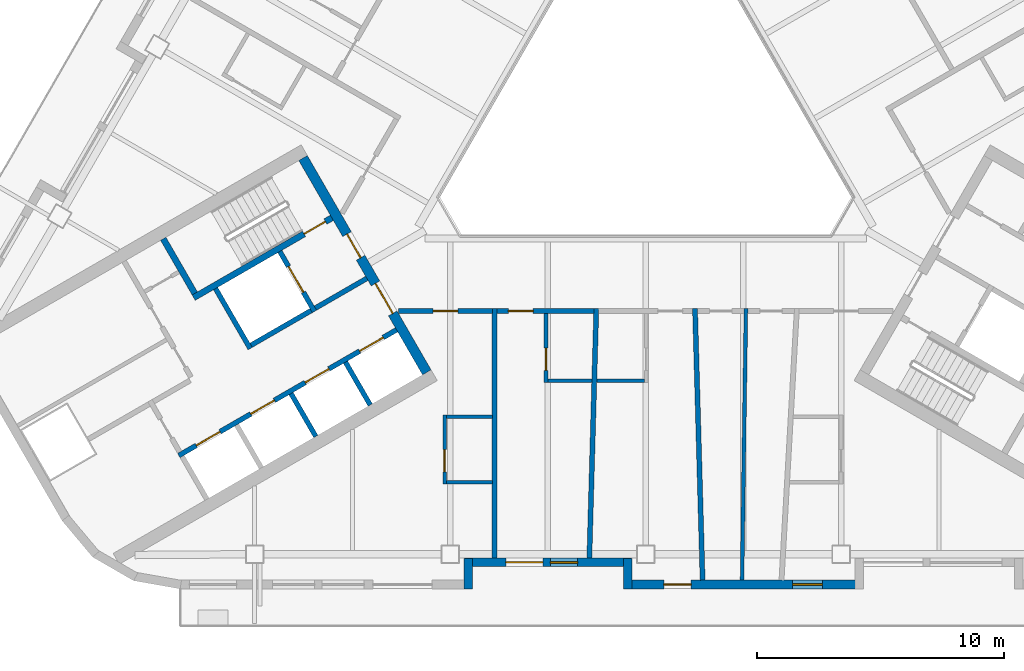
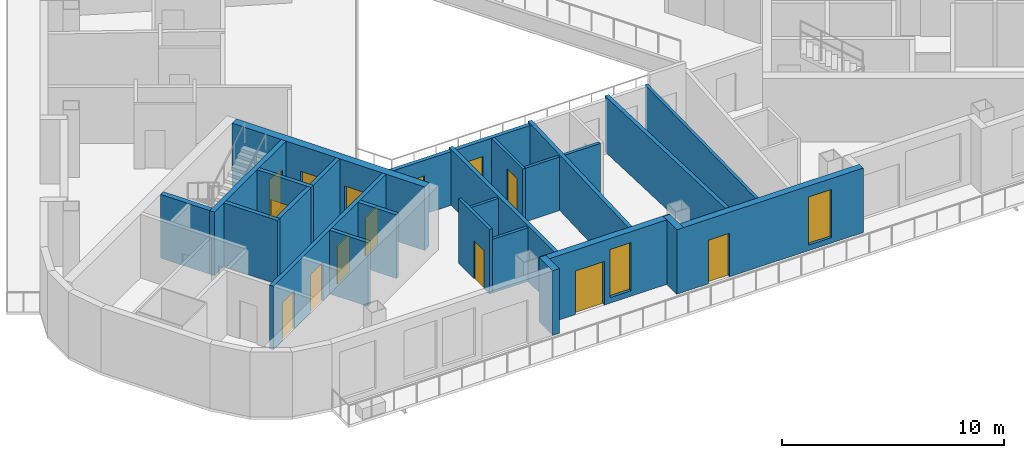
# One storey, part 3 of 14: 26 walls, 14 doors, 2 windows, 16 openings.
"""IFC4 building model written with IfcOpenShell, lengths in metres."""

from ifc_helpers import new_model, si_unit, direction, frame, frame_2d, origin, place, context, subcontext, project, spatial, rectangle, extrude, material, layer, layer_set, type_object, element, fill, save


model = new_model("IFC4")

# Units and contexts
model_context = context("Model", 3, precision=1e-05, world=origin(), true_north=direction((0.0, 1.0)))
body_context = subcontext(model_context, "Body", "Model", "MODEL_VIEW")
ifc_project = project(units=[si_unit("LENGTHUNIT", "METRE"), si_unit("AREAUNIT", "SQUARE_METRE"), si_unit("VOLUMEUNIT", "CUBIC_METRE"), si_unit("PLANEANGLEUNIT", "RADIAN"), si_unit("MASSUNIT", "GRAM", prefix="KILO")], contexts=[model_context])

# Site, building, storey
site_placement = place(None, origin())
site = spatial("IfcSite", under=ifc_project, at=site_placement, CompositionType="ELEMENT")
building_placement = place(site_placement, origin())
building = spatial("IfcBuilding", under=site, at=building_placement, Name="Apuvela Tower Hotel", CompositionType="ELEMENT")
storey_placement = place(building_placement, frame((0.0, 0.0, 216.89990234375)))
storey = spatial("IfcBuildingStorey", under=building, at=storey_placement, Name="L53", CompositionType="ELEMENT", Elevation=216.89990234375)

# Wall, openings, doors
ifc_material_1 = material(Name="Concrete C50/60", Category="concrete")
ifc_layer_1 = layer(ifc_material_1, 0.39990234375)
ifc_layer_set_1 = layer_set([ifc_layer_1], Name="COR-WALL-CORE-400")
wall_type_1 = type_object("IfcWallType", Name="COR-WALL-CORE-400", PredefinedType="SHEAR", material=ifc_layer_set_1)
wall_1_placement = place(storey_placement, frame((-13.844970703125, -2.219970703125, 0.0), z_axis=(0.0, 0.0, 1.0), x_axis=(0.500004234368, -0.866022959057, 0.0)))
wall_1 = element("IfcWall", 1, at=wall_1_placement, inside=storey, type_object=wall_type_1, Name="Core wall SW", PredefinedType="SHEAR", context=body_context, shape_type="SweptSolid", body=[
    extrude(rectangle(XDim=10.0, YDim=0.39990234375, at=frame_2d((5.0, 0.0))), origin(), (0.0, 0.0, 1.0), 3.5),
])
opening_1_placement = place(wall_1_placement, frame((3.550048828125, 0.0, 0.0)))
opening_1 = element("IfcOpeningElement", 2, at=opening_1_placement, cuts=wall_1, Name="Opening W-FD", PredefinedType="OPENING", context=body_context, shape_type="SweptSolid", body=[
    extrude(rectangle(XDim=1.10009765625, YDim=2.10009765625, at=frame_2d((0.550048828125, 1.050048828125))), frame((0.0, 0.2099609375, 0.0), z_axis=(0.0, -1.0, 0.0), x_axis=(1.0, 0.0, 0.0)), (0.0, 0.0, 1.0), 0.419921875),
])
opening_2_placement = place(wall_1_placement, frame((5.85009765625, 0.0, 0.0)))
opening_2 = element("IfcOpeningElement", 3, at=opening_2_placement, cuts=wall_1, Name="Opening W-GD", PredefinedType="OPENING", context=body_context, shape_type="SweptSolid", body=[
    extrude(rectangle(XDim=1.39990234375, YDim=2.10009765625, at=frame_2d((0.699951171875, 1.050048828125))), frame((0.0, 0.2099609375, 0.0), z_axis=(0.0, -1.0, 0.0), x_axis=(1.0, 0.0, 0.0)), (0.0, 0.0, 1.0), 0.419921875),
])
ifc_material_2 = material(Name="Steel fire door, powder coated", Category="steel")
door_type_1 = type_object("IfcDoorType", Name="COR-FD-1100", OperationType="NOTDEFINED", PredefinedType="DOOR", material=ifc_material_2)
door_1_placement = place(opening_1_placement, frame((1.10009765625, 0.0, 0.0), z_axis=(0.0, 0.0, 1.0), x_axis=(-1.0, 0.0, 0.0)))
door_1 = element("IfcDoor", 4, at=door_1_placement, inside=storey, type_object=door_type_1, Name="Firefighting lobby door W-FD", OperationType="SINGLE_SWING_LEFT", OverallHeight=2.10009765625, OverallWidth=1.10009765625, PredefinedType="DOOR", context=body_context, shape_type="SweptSolid", body=[
    extrude(rectangle(XDim=1.10009765625, YDim=2.10009765625, at=frame_2d((0.550048828125, 1.050048828125))), frame((0.0, 0.02490234375, 0.0), z_axis=(0.0, -1.0, 0.0), x_axis=(1.0, 0.0, 0.0)), (0.0, 0.0, 1.0), 0.050048828125),
])
fill(opening_1, door_1)
ifc_material_3 = material(Name="Glazed steel fire door", Category="steel")
door_type_2 = type_object("IfcDoorType", Name="COR-GD-1400", OperationType="DOUBLE_DOOR_SINGLE_SWING", PredefinedType="DOOR", material=ifc_material_3)
door_2_placement = place(opening_2_placement, frame((1.39990234375, 0.0, 0.0), z_axis=(0.0, 0.0, 1.0), x_axis=(-1.0, 0.0, 0.0)))
door_2 = element("IfcDoor", 5, at=door_2_placement, inside=storey, type_object=door_type_2, Name="Lift lobby door W-GD", OperationType="DOUBLE_DOOR_SINGLE_SWING", OverallHeight=2.10009765625, OverallWidth=1.39990234375, PredefinedType="DOOR", context=body_context, shape_type="SweptSolid", body=[
    extrude(rectangle(XDim=1.39990234375, YDim=2.10009765625, at=frame_2d((0.699951171875, 1.050048828125))), frame((0.0, 0.02490234375, 0.0), z_axis=(0.0, -1.0, 0.0), x_axis=(1.0, 0.0, 0.0)), (0.0, 0.0, 1.0), 0.050048828125),
])
fill(opening_2, door_2)

# Wall
ifc_layer_2 = layer(ifc_material_1, 0.199951171875)
ifc_layer_set_2 = layer_set([ifc_layer_2], Name="COR-WALL-SHAFT-200")
wall_type_2 = type_object("IfcWallType", Name="COR-WALL-SHAFT-200", PredefinedType="SHEAR", material=ifc_layer_set_2)
wall_2_placement = place(storey_placement, frame((-17.38134765625, -7.49462890625, 0.0), z_axis=(0.0, 0.0, 1.0), x_axis=(0.500011755427, -0.866018616679, 0.0)))
element("IfcWall", 6, at=wall_2_placement, inside=storey, type_object=wall_type_2, Name="Shaft wall SW", PredefinedType="SHEAR", context=body_context, shape_type="SweptSolid", body=[
    extrude(rectangle(XDim=2.80029296875, YDim=0.199951171875, at=frame_2d((1.400146484375, 0.0))), origin(), (0.0, 0.0, 1.0), 3.5),
])

# Wall, opening, door
wall_3_placement = place(storey_placement, frame((-14.783203125, -5.99462890625, 0.0), z_axis=(0.0, 0.0, 1.0), x_axis=(0.49994636267, -0.866056369097, 0.0)))
wall_3 = element("IfcWall", 7, at=wall_3_placement, inside=storey, type_object=wall_type_2, Name="Shaft wall SW", PredefinedType="SHEAR", context=body_context, shape_type="SweptSolid", body=[
    extrude(rectangle(XDim=2.800048828125, YDim=0.199951171875, at=frame_2d((1.39990234375, 0.0))), origin(), (0.0, 0.0, 1.0), 3.5),
])
opening_3_placement = place(wall_3_placement, frame((0.699951171875, 0.0, 0.0)))
opening_3 = element("IfcOpeningElement", 8, at=opening_3_placement, cuts=wall_3, Name="Opening W-LD-FS2", PredefinedType="OPENING", context=body_context, shape_type="SweptSolid", body=[
    extrude(rectangle(XDim=1.199951171875, YDim=2.10009765625, at=frame_2d((0.60009765625, 1.050048828125))), frame((0.0, 0.10986328125, 0.0), z_axis=(0.0, -1.0, 0.0), x_axis=(1.0, 0.0, 0.0)), (0.0, 0.0, 1.0), 0.219970703125),
])
ifc_material_4 = material(Name="Stainless steel lift landing door", Category="steel")
door_type_3 = type_object("IfcDoorType", Name="COR-LD-1200", OperationType="DOUBLE_DOOR_SLIDING", PredefinedType="DOOR", material=ifc_material_4)
door_3_placement = place(opening_3_placement, origin())
door_3 = element("IfcDoor", 9, at=door_3_placement, inside=storey, type_object=door_type_3, Name="Lift landing door W-LD-FS2", OperationType="DOUBLE_DOOR_SLIDING", OverallHeight=2.10009765625, OverallWidth=1.199951171875, PredefinedType="DOOR", context=body_context, shape_type="SweptSolid", body=[
    extrude(rectangle(XDim=1.199951171875, YDim=2.10009765625, at=frame_2d((0.60009765625, 1.050048828125))), frame((0.0, 0.02490234375, 0.0), z_axis=(0.0, -1.0, 0.0), x_axis=(1.0, 0.0, 0.0)), (0.0, 0.0, 1.0), 0.050048828125),
])
fill(opening_3, door_3)

# Walls
wall_4_placement = place(storey_placement, frame((-13.519775390625, -8.383056640625, 0.0), z_axis=(0.0, 0.0, 1.0), x_axis=(-0.866034573852, -0.49998411664, 0.0)))
element("IfcWall", 10, at=wall_4_placement, inside=storey, type_object=wall_type_2, Name="Shaft wall SW", PredefinedType="SHEAR", context=body_context, shape_type="SweptSolid", body=[
    extrude(rectangle(XDim=2.7998046875, YDim=0.199951171875, at=frame_2d((1.39990234375, 0.0))), origin(), (0.0, 0.0, 1.0), 3.5),
])
wall_5_placement = place(storey_placement, frame((-11.26806640625, -7.0830078125, 0.0), z_axis=(0.0, 0.0, 1.0), x_axis=(-0.866050077142, -0.499957262057, 0.0)))
element("IfcWall", 11, at=wall_5_placement, inside=storey, type_object=wall_type_2, Name="Shaft wall SW", PredefinedType="SHEAR", context=body_context, shape_type="SweptSolid", body=[
    extrude(rectangle(XDim=2.400146484375, YDim=0.199951171875, at=frame_2d((1.2001953125, 0.0))), origin(), (0.0, 0.0, 1.0), 3.5),
])

# Wall, openings, doors
wall_6_placement = place(storey_placement, frame((-10.068115234375, -9.16162109375, 0.0), z_axis=(0.0, 0.0, 1.0), x_axis=(-0.866032725843, -0.499987317609, 0.0)))
wall_6 = element("IfcWall", 12, at=wall_6_placement, inside=storey, type_object=wall_type_2, Name="Shaft wall SW", PredefinedType="SHEAR", context=body_context, shape_type="SweptSolid", body=[
    extrude(rectangle(XDim=10.159912109375, YDim=0.199951171875, at=frame_2d((5.080078125, 0.0))), origin(), (0.0, 0.0, 1.0), 3.5),
])
opening_4_placement = place(wall_6_placement, frame((0.6201171875, 0.0, 0.0)))
opening_4 = element("IfcOpeningElement", 13, at=opening_4_placement, cuts=wall_6, Name="Opening W-LD-MR1", PredefinedType="OPENING", context=body_context, shape_type="SweptSolid", body=[
    extrude(rectangle(XDim=1.10009765625, YDim=2.10009765625, at=frame_2d((0.550048828125, 1.050048828125))), frame((0.0, 0.10986328125, 0.0), z_axis=(0.0, -1.0, 0.0), x_axis=(1.0, 0.0, 0.0)), (0.0, 0.0, 1.0), 0.219970703125),
])
opening_5_placement = place(wall_6_placement, frame((3.159912109375, 0.0, 0.0)))
opening_5 = element("IfcOpeningElement", 14, at=opening_5_placement, cuts=wall_6, Name="Opening W-LD-MR2", PredefinedType="OPENING", context=body_context, shape_type="SweptSolid", body=[
    extrude(rectangle(XDim=1.10009765625, YDim=2.10009765625, at=frame_2d((0.550048828125, 1.050048828125))), frame((0.0, 0.10986328125, 0.0), z_axis=(0.0, -1.0, 0.0), x_axis=(1.0, 0.0, 0.0)), (0.0, 0.0, 1.0), 0.219970703125),
])
opening_6_placement = place(wall_6_placement, frame((5.699951171875, 0.0, 0.0)))
opening_6 = element("IfcOpeningElement", 15, at=opening_6_placement, cuts=wall_6, Name="Opening W-LD-MR3", PredefinedType="OPENING", context=body_context, shape_type="SweptSolid", body=[
    extrude(rectangle(XDim=1.10009765625, YDim=2.10009765625, at=frame_2d((0.550048828125, 1.050048828125))), frame((0.0, 0.10986328125, 0.0), z_axis=(0.0, -1.0, 0.0), x_axis=(1.0, 0.0, 0.0)), (0.0, 0.0, 1.0), 0.219970703125),
])
opening_7_placement = place(wall_6_placement, frame((8.239990234375, 0.0, 0.0)))
opening_7 = element("IfcOpeningElement", 16, at=opening_7_placement, cuts=wall_6, Name="Opening W-LD-MR4", PredefinedType="OPENING", context=body_context, shape_type="SweptSolid", body=[
    extrude(rectangle(XDim=1.10009765625, YDim=2.10009765625, at=frame_2d((0.550048828125, 1.050048828125))), frame((0.0, 0.10986328125, 0.0), z_axis=(0.0, -1.0, 0.0), x_axis=(1.0, 0.0, 0.0)), (0.0, 0.0, 1.0), 0.219970703125),
])
door_type_4 = type_object("IfcDoorType", Name="COR-LD-1100", OperationType="DOUBLE_DOOR_SLIDING", PredefinedType="DOOR", material=ifc_material_4)
door_4_placement = place(opening_4_placement, origin())
door_4 = element("IfcDoor", 17, at=door_4_placement, inside=storey, type_object=door_type_4, Name="Lift landing door W-LD-MR1", OperationType="DOUBLE_DOOR_SLIDING", OverallHeight=2.10009765625, OverallWidth=1.10009765625, PredefinedType="DOOR", context=body_context, shape_type="SweptSolid", body=[
    extrude(rectangle(XDim=1.10009765625, YDim=2.10009765625, at=frame_2d((0.550048828125, 1.050048828125))), frame((0.0, 0.02490234375, 0.0), z_axis=(0.0, -1.0, 0.0), x_axis=(1.0, 0.0, 0.0)), (0.0, 0.0, 1.0), 0.050048828125),
])
fill(opening_4, door_4)
door_5_placement = place(opening_5_placement, origin())
door_5 = element("IfcDoor", 18, at=door_5_placement, inside=storey, type_object=door_type_4, Name="Lift landing door W-LD-MR2", OperationType="DOUBLE_DOOR_SLIDING", OverallHeight=2.10009765625, OverallWidth=1.10009765625, PredefinedType="DOOR", context=body_context, shape_type="SweptSolid", body=[
    extrude(rectangle(XDim=1.10009765625, YDim=2.10009765625, at=frame_2d((0.550048828125, 1.050048828125))), frame((0.0, 0.02490234375, 0.0), z_axis=(0.0, -1.0, 0.0), x_axis=(1.0, 0.0, 0.0)), (0.0, 0.0, 1.0), 0.050048828125),
])
fill(opening_5, door_5)
door_6_placement = place(opening_6_placement, origin())
door_6 = element("IfcDoor", 19, at=door_6_placement, inside=storey, type_object=door_type_4, Name="Lift landing door W-LD-MR3", OperationType="DOUBLE_DOOR_SLIDING", OverallHeight=2.10009765625, OverallWidth=1.10009765625, PredefinedType="DOOR", context=body_context, shape_type="SweptSolid", body=[
    extrude(rectangle(XDim=1.10009765625, YDim=2.10009765625, at=frame_2d((0.550048828125, 1.050048828125))), frame((0.0, 0.02490234375, 0.0), z_axis=(0.0, -1.0, 0.0), x_axis=(1.0, 0.0, 0.0)), (0.0, 0.0, 1.0), 0.050048828125),
])
fill(opening_6, door_6)
door_7_placement = place(opening_7_placement, origin())
door_7 = element("IfcDoor", 20, at=door_7_placement, inside=storey, type_object=door_type_4, Name="Lift landing door W-LD-MR4", OperationType="DOUBLE_DOOR_SLIDING", OverallHeight=2.10009765625, OverallWidth=1.10009765625, PredefinedType="DOOR", context=body_context, shape_type="SweptSolid", body=[
    extrude(rectangle(XDim=1.10009765625, YDim=2.10009765625, at=frame_2d((0.550048828125, 1.050048828125))), frame((0.0, 0.02490234375, 0.0), z_axis=(0.0, -1.0, 0.0), x_axis=(1.0, 0.0, 0.0)), (0.0, 0.0, 1.0), 0.050048828125),
])
fill(opening_7, door_7)

# Walls
for number, where, z_axis, x_axis, name in (
    (21, (-12.131103515625, -10.468017578125, 0.0), (0.0, 0.0, 1.0), (0.499972520799, -0.866041268327, 0.0), "Shaft wall SW"),
    (22, (-14.330810546875, -11.738037109375, 0.0), (0.0, 0.0, 1.0), (0.499972520799, -0.866041268327, 0.0), "Shaft wall SW"),
):
    element("IfcWall", number, at=place(storey_placement, frame(where, z_axis=z_axis, x_axis=x_axis)), inside=storey, type_object=wall_type_2, Name=name, PredefinedType="SHEAR", context=body_context, shape_type="SweptSolid", body=[
        extrude(rectangle(XDim=2.0, YDim=0.199951171875, at=frame_2d((1.0, 0.0))), origin(), (0.0, 0.0, 1.0), 3.5),
    ])

# Wall, opening, door
ifc_layer_3 = layer(ifc_material_1, 0.25)
ifc_layer_set_3 = layer_set([ifc_layer_3], Name="COR-WALL-STAIR-250")
wall_type_3 = type_object("IfcWallType", Name="COR-WALL-STAIR-250", PredefinedType="SHEAR", material=ifc_layer_set_3)
wall_7_placement = place(storey_placement, frame((-12.6806640625, -4.636474609375, 0.0), z_axis=(0.0, 0.0, 1.0), x_axis=(-0.866021702275, -0.500006411147, 0.0)))
wall_7 = element("IfcWall", 23, at=wall_7_placement, inside=storey, type_object=wall_type_3, Name="Stair wall SW", PredefinedType="SHEAR", context=body_context, shape_type="SweptSolid", body=[
    extrude(rectangle(XDim=6.4501953125, YDim=0.25, at=frame_2d((3.22509765625, 0.0))), origin(), (0.0, 0.0, 1.0), 3.5),
])
opening_8_placement = place(wall_7_placement, frame((0.300048828125, 0.0, 0.0)))
opening_8 = element("IfcOpeningElement", 24, at=opening_8_placement, cuts=wall_7, Name="Opening W-SD", PredefinedType="OPENING", context=body_context, shape_type="SweptSolid", body=[
    extrude(rectangle(XDim=1.0, YDim=2.10009765625, at=frame_2d((0.5, 1.050048828125))), frame((0.0, 0.135009765625, 0.0), z_axis=(0.0, -1.0, 0.0), x_axis=(1.0, 0.0, 0.0)), (0.0, 0.0, 1.0), 0.27001953125),
])
door_type_5 = type_object("IfcDoorType", Name="COR-SD-1000", OperationType="NOTDEFINED", PredefinedType="DOOR", material=ifc_material_2)
door_8_placement = place(opening_8_placement, frame((1.0, 0.0, 0.0), z_axis=(0.0, 0.0, 1.0), x_axis=(-1.0, 0.0, 0.0)))
door_8 = element("IfcDoor", 25, at=door_8_placement, inside=storey, type_object=door_type_5, Name="Stair door W-SD", OperationType="SINGLE_SWING_LEFT", OverallHeight=2.10009765625, OverallWidth=1.0, PredefinedType="DOOR", context=body_context, shape_type="SweptSolid", body=[
    extrude(rectangle(XDim=1.0, YDim=2.10009765625, at=frame_2d((0.5, 1.050048828125))), frame((0.0, 0.02490234375, 0.0), z_axis=(0.0, -1.0, 0.0), x_axis=(1.0, 0.0, 0.0)), (0.0, 0.0, 1.0), 0.050048828125),
])
fill(opening_8, door_8)

# Walls
wall_8_placement = place(storey_placement, frame((-19.49560546875, -5.482421875, 0.0), z_axis=(0.0, 0.0, 1.0), x_axis=(0.499990435942, -0.866030925526, 0.0)))
element("IfcWall", 26, at=wall_8_placement, inside=storey, type_object=wall_type_3, Name="Stair wall SW", PredefinedType="SHEAR", context=body_context, shape_type="SweptSolid", body=[
    extrude(rectangle(XDim=2.5498046875, YDim=0.25, at=frame_2d((1.27490234375, 0.0))), origin(), (0.0, 0.0, 1.0), 3.5),
])
ifc_material_5 = material(Name="Concrete C40/50, dark pigmented precast panel", Category="concrete")
ifc_layer_4 = layer(ifc_material_5, 0.35009765625)
ifc_layer_set_4 = layer_set([ifc_layer_4], Name="ENV-WALL-350")
wall_type_4 = type_object("IfcWallType", Name="ENV-WALL-350", PredefinedType="SOLIDWALL", material=ifc_layer_set_4)
wall_9_placement = place(storey_placement, frame((-7.175048828125, -19.6298828125, 0.0), z_axis=(0.0, 0.0, 1.0), x_axis=(0.0, 1.0, 0.0)))
element("IfcWall", 27, at=wall_9_placement, inside=storey, type_object=wall_type_4, Name="External wall L53-18", PredefinedType="SOLIDWALL", context=body_context, shape_type="SweptSolid", body=[
    extrude(rectangle(XDim=1.219970703125, YDim=0.35009765625, at=frame_2d((0.60986328125, 0.0))), origin(), (0.0, 0.0, 1.0), 3.550048828125),
])

# Wall, openings, door, window
wall_10_placement = place(storey_placement, frame((-7.320068359375, -18.554931640625, 0.0), z_axis=(0.0, 0.0, 1.0), x_axis=(1.0, 0.0, 0.0)))
wall_10 = element("IfcWall", 28, at=wall_10_placement, inside=storey, type_object=wall_type_4, Name="External wall L53-19", PredefinedType="SOLIDWALL", context=body_context, shape_type="SweptSolid", body=[
    extrude(rectangle(XDim=6.739990234375, YDim=0.35009765625, at=frame_2d((3.3701171875, 0.0))), origin(), (0.0, 0.0, 1.0), 3.550048828125),
])
opening_9_placement = place(wall_10_placement, frame((1.669921875, 0.0, 0.0)))
opening_9 = element("IfcOpeningElement", 29, at=opening_9_placement, cuts=wall_10, Name="Opening BD15", PredefinedType="OPENING", context=body_context, shape_type="SweptSolid", body=[
    extrude(rectangle(XDim=1.5, YDim=2.39990234375, at=frame_2d((0.75, 1.199951171875))), frame((0.0, 0.18505859375, 0.0), z_axis=(0.0, -1.0, 0.0), x_axis=(1.0, 0.0, 0.0)), (0.0, 0.0, 1.0), 0.3701171875),
])
opening_10_placement = place(wall_10_placement, frame((3.469970703125, 0.0, 0.300048828125)))
opening_10 = element("IfcOpeningElement", 30, at=opening_10_placement, cuts=wall_10, Name="Opening WN11", PredefinedType="OPENING", context=body_context, shape_type="SweptSolid", body=[
    extrude(rectangle(XDim=1.10009765625, YDim=2.64990234375, at=frame_2d((0.550048828125, 1.324951171875))), frame((0.0, 0.18505859375, 0.0), z_axis=(0.0, -1.0, 0.0), x_axis=(1.0, 0.0, 0.0)), (0.0, 0.0, 1.0), 0.3701171875),
])
ifc_material_6 = material(Name="Aluminium 6063-T6, dark bronze anodised frame with dark tinted laminated glass", Category="aluminium")
door_type_6 = type_object("IfcDoorType", Name="ENV-DOOR-BALCONY-1500x2400", OperationType="SLIDING_TO_LEFT", PredefinedType="DOOR", material=ifc_material_6)
door_9_placement = place(opening_9_placement, frame((1.5, 0.0, 0.0), z_axis=(0.0, 0.0, 1.0), x_axis=(-1.0, 0.0, 0.0)))
door_9 = element("IfcDoor", 31, at=door_9_placement, inside=storey, type_object=door_type_6, Name="Balcony door BD15", OperationType="SLIDING_TO_LEFT", OverallHeight=2.39990234375, OverallWidth=1.5, PredefinedType="DOOR", context=body_context, shape_type="SweptSolid", body=[
    extrude(rectangle(XDim=1.5, YDim=2.39990234375, at=frame_2d((0.75, 1.199951171875))), frame((0.0, 0.02490234375, 0.0), z_axis=(0.0, -1.0, 0.0), x_axis=(1.0, 0.0, 0.0)), (0.0, 0.0, 1.0), 0.050048828125),
])
fill(opening_9, door_9)
ifc_material_7 = material(Name="Glass, dark tinted laminated insulated glazing unit", Category="glass")
window_type_1 = type_object("IfcWindowType", Name="ENV-WIN-1100x2650", PartitioningType="SINGLE_PANEL", PredefinedType="WINDOW", material=ifc_material_7)
window_1_placement = place(opening_10_placement, origin())
window_1 = element("IfcWindow", 32, at=window_1_placement, inside=storey, type_object=window_type_1, Name="Window WN11", OverallHeight=2.64990234375, OverallWidth=1.10009765625, PartitioningType="SINGLE_PANEL", PredefinedType="WINDOW", context=body_context, shape_type="SweptSolid", body=[
    extrude(rectangle(XDim=1.10009765625, YDim=2.64990234375, at=frame_2d((0.550048828125, 1.324951171875))), frame((0.0, 0.030029296875, 0.0), z_axis=(0.0, -1.0, 0.0), x_axis=(1.0, 0.0, 0.0)), (0.0, 0.0, 1.0), 0.06005859375),
])
fill(opening_10, window_1)

# Wall
wall_11_placement = place(storey_placement, frame((-0.72509765625, -18.409912109375, 0.0), z_axis=(0.0, 0.0, 1.0), x_axis=(0.0, -1.0, 0.0)))
element("IfcWall", 33, at=wall_11_placement, inside=storey, type_object=wall_type_4, Name="External wall L53-20", PredefinedType="SOLIDWALL", context=body_context, shape_type="SweptSolid", body=[
    extrude(rectangle(XDim=1.219970703125, YDim=0.35009765625, at=frame_2d((0.60986328125, 0.0))), origin(), (0.0, 0.0, 1.0), 3.550048828125),
])

# Wall, openings, door, window
wall_12_placement = place(storey_placement, frame((-0.89990234375, -19.455078125, 0.0), z_axis=(0.0, 0.0, 1.0), x_axis=(1.0, 0.0, 0.0)))
wall_12 = element("IfcWall", 34, at=wall_12_placement, inside=storey, type_object=wall_type_4, Name="External wall L53-21", PredefinedType="SOLIDWALL", context=body_context, shape_type="SweptSolid", body=[
    extrude(rectangle(XDim=9.699951171875, YDim=0.35009765625, at=frame_2d((4.85009765625, 0.0))), origin(), (0.0, 0.0, 1.0), 3.550048828125),
])
opening_11_placement = place(wall_12_placement, frame((1.6376953125, 0.0, 0.0)))
opening_11 = element("IfcOpeningElement", 35, at=opening_11_placement, cuts=wall_12, Name="Opening BD11", PredefinedType="OPENING", context=body_context, shape_type="SweptSolid", body=[
    extrude(rectangle(XDim=1.10009765625, YDim=2.39990234375, at=frame_2d((0.550048828125, 1.199951171875))), frame((0.0, 0.18505859375, 0.0), z_axis=(0.0, -1.0, 0.0), x_axis=(1.0, 0.0, 0.0)), (0.0, 0.0, 1.0), 0.3701171875),
])
opening_12_placement = place(wall_12_placement, frame((6.83984375, 0.0, 0.300048828125)))
opening_12 = element("IfcOpeningElement", 36, at=opening_12_placement, cuts=wall_12, Name="Opening WN12", PredefinedType="OPENING", context=body_context, shape_type="SweptSolid", body=[
    extrude(rectangle(XDim=1.199951171875, YDim=2.64990234375, at=frame_2d((0.60009765625, 1.324951171875))), frame((0.0, 0.18505859375, 0.0), z_axis=(0.0, -1.0, 0.0), x_axis=(1.0, 0.0, 0.0)), (0.0, 0.0, 1.0), 0.3701171875),
])
door_type_7 = type_object("IfcDoorType", Name="ENV-DOOR-BALCONY-1100x2400", OperationType="SLIDING_TO_LEFT", PredefinedType="DOOR", material=ifc_material_6)
door_10_placement = place(opening_11_placement, frame((1.10009765625, 0.0, 0.0), z_axis=(0.0, 0.0, 1.0), x_axis=(-1.0, 0.0, 0.0)))
door_10 = element("IfcDoor", 37, at=door_10_placement, inside=storey, type_object=door_type_7, Name="Balcony door BD11", OperationType="SLIDING_TO_LEFT", OverallHeight=2.39990234375, OverallWidth=1.10009765625, PredefinedType="DOOR", context=body_context, shape_type="SweptSolid", body=[
    extrude(rectangle(XDim=1.10009765625, YDim=2.39990234375, at=frame_2d((0.550048828125, 1.199951171875))), frame((0.0, 0.02490234375, 0.0), z_axis=(0.0, -1.0, 0.0), x_axis=(1.0, 0.0, 0.0)), (0.0, 0.0, 1.0), 0.050048828125),
])
fill(opening_11, door_10)
window_type_2 = type_object("IfcWindowType", Name="ENV-WIN-1200x2650", PartitioningType="SINGLE_PANEL", PredefinedType="WINDOW", material=ifc_material_7)
window_2_placement = place(opening_12_placement, origin())
window_2 = element("IfcWindow", 38, at=window_2_placement, inside=storey, type_object=window_type_2, Name="Window WN12", OverallHeight=2.64990234375, OverallWidth=1.199951171875, PartitioningType="SINGLE_PANEL", PredefinedType="WINDOW", context=body_context, shape_type="SweptSolid", body=[
    extrude(rectangle(XDim=1.199951171875, YDim=2.64990234375, at=frame_2d((0.60009765625, 1.324951171875))), frame((0.0, 0.030029296875, 0.0), z_axis=(0.0, -1.0, 0.0), x_axis=(1.0, 0.0, 0.0)), (0.0, 0.0, 1.0), 0.06005859375),
])
fill(opening_12, window_2)

# Walls
ifc_material_8 = material(Name="Gypsum board partition on twin steel stud", Category="steel")
ifc_layer_5 = layer(ifc_material_8, 0.199951171875)
ifc_layer_set_5 = layer_set([ifc_layer_5], Name="GST-PW1")
wall_type_5 = type_object("IfcWallType", Name="GST-PW1", PredefinedType="PARTITIONING", material=ifc_layer_set_5)
wall_13_placement = place(storey_placement, frame((-6.10009765625, -18.3798828125, 0.0), z_axis=(0.0, 0.0, 1.0), x_axis=(0.0, 1.0, 0.0)))
element("IfcWall", 39, at=wall_13_placement, inside=storey, type_object=wall_type_5, Name="L53 partition 01", PredefinedType="PARTITIONING", context=body_context, shape_type="SweptSolid", body=[
    extrude(rectangle(XDim=10.079833984375, YDim=0.199951171875, at=frame_2d((5.0400390625, 0.0))), origin(), (0.0, 0.0, 1.0), 3.06005859375),
])
wall_14_placement = place(storey_placement, frame((-2.27490234375, -18.3798828125, 0.0), z_axis=(0.0, 0.0, 1.0), x_axis=(0.027818812611, 0.999612981941, 0.0)))
element("IfcWall", 40, at=wall_14_placement, inside=storey, type_object=wall_type_5, Name="L53 partition 02", PredefinedType="PARTITIONING", context=body_context, shape_type="SweptSolid", body=[
    extrude(rectangle(XDim=10.083740234375, YDim=0.199951171875, at=frame_2d((5.0419921875, 0.0))), origin(), (0.0, 0.0, 1.0), 3.06005859375),
])
wall_15_placement = place(storey_placement, frame((2.300048828125, -19.280029296875, 0.0), z_axis=(0.0, 0.0, 1.0), x_axis=(-0.027827525898, 0.999612739416, 0.0)))
element("IfcWall", 41, at=wall_15_placement, inside=storey, type_object=wall_type_5, Name="L53 partition 03", PredefinedType="PARTITIONING", context=body_context, shape_type="SweptSolid", body=[
    extrude(rectangle(XDim=10.984130859375, YDim=0.199951171875, at=frame_2d((5.4921875, 0.0))), origin(), (0.0, 0.0, 1.0), 3.06005859375),
])

# Wall, opening, door
ifc_material_9 = material(Name="Gypsum board corridor wall on twin steel stud, acoustic", Category="steel")
ifc_layer_6 = layer(ifc_material_9, 0.199951171875)
ifc_layer_set_6 = layer_set([ifc_layer_6], Name="GST-PW2")
wall_type_6 = type_object("IfcWallType", Name="GST-PW2", PredefinedType="PARTITIONING", material=ifc_layer_set_6)
wall_16_placement = place(storey_placement, frame((-6.199951171875, -8.39990234375, 0.0), z_axis=(0.0, 0.0, 1.0), x_axis=(-1.0, 0.0, 0.0)))
wall_16 = element("IfcWall", 42, at=wall_16_placement, inside=storey, type_object=wall_type_6, Name="L53 partition 10", PredefinedType="PARTITIONING", context=body_context, shape_type="SweptSolid", body=[
    extrude(rectangle(XDim=3.788330078125, YDim=0.199951171875, at=frame_2d((1.89404296875, 0.0))), origin(), (0.0, 0.0, 1.0), 2.9501953125),
])
opening_13_placement = place(wall_16_placement, frame((1.39404296875, 0.0, 0.0)))
opening_13 = element("IfcOpeningElement", 43, at=opening_13_placement, cuts=wall_16, Name="Opening GD21-02", PredefinedType="OPENING", context=body_context, shape_type="SweptSolid", body=[
    extrude(rectangle(XDim=1.0, YDim=2.10009765625, at=frame_2d((0.5, 1.050048828125))), frame((0.0, 0.10986328125, 0.0), z_axis=(0.0, -1.0, 0.0), x_axis=(1.0, 0.0, 0.0)), (0.0, 0.0, 1.0), 0.219970703125),
])
ifc_material_10 = material(Name="Timber door leaf in steel frame", Category="steel")
door_type_8 = type_object("IfcDoorType", Name="GST-D1", OperationType="NOTDEFINED", PredefinedType="DOOR", material=ifc_material_10)
door_11_placement = place(opening_13_placement, origin())
door_11 = element("IfcDoor", 44, at=door_11_placement, inside=storey, type_object=door_type_8, Name="Door L53-02", OperationType="SINGLE_SWING_LEFT", OverallHeight=2.10009765625, OverallWidth=1.0, PredefinedType="DOOR", context=body_context, shape_type="SweptSolid", body=[
    extrude(rectangle(XDim=1.0, YDim=2.10009765625, at=frame_2d((0.5, 1.050048828125))), frame((0.0, 0.02490234375, 0.0), z_axis=(0.0, -1.0, 0.0), x_axis=(1.0, 0.0, 0.0)), (0.0, 0.0, 1.0), 0.050048828125),
])
fill(opening_13, door_11)

wall_17_placement = place(storey_placement, frame((-2.097412109375, -8.39990234375, 0.0), z_axis=(0.0, 0.0, 1.0), x_axis=(-1.0, 0.0, 0.0)))
wall_17 = element("IfcWall", 45, at=wall_17_placement, inside=storey, type_object=wall_type_6, Name="L53 partition 14", PredefinedType="PARTITIONING", context=body_context, shape_type="SweptSolid", body=[
    extrude(rectangle(XDim=3.902587890625, YDim=0.199951171875, at=frame_2d((1.951171875, 0.0))), origin(), (0.0, 0.0, 1.0), 2.9501953125),
])
opening_14_placement = place(wall_17_placement, frame((2.45263671875, 0.0, 0.0)))
opening_14 = element("IfcOpeningElement", 46, at=opening_14_placement, cuts=wall_17, Name="Opening GD21-04", PredefinedType="OPENING", context=body_context, shape_type="SweptSolid", body=[
    extrude(rectangle(XDim=1.0, YDim=2.10009765625, at=frame_2d((0.5, 1.050048828125))), frame((0.0, 0.10986328125, 0.0), z_axis=(0.0, -1.0, 0.0), x_axis=(1.0, 0.0, 0.0)), (0.0, 0.0, 1.0), 0.219970703125),
])
door_12_placement = place(opening_14_placement, origin())
door_12 = element("IfcDoor", 47, at=door_12_placement, inside=storey, type_object=door_type_8, Name="Door L53-04", OperationType="SINGLE_SWING_RIGHT", OverallHeight=2.10009765625, OverallWidth=1.0, PredefinedType="DOOR", context=body_context, shape_type="SweptSolid", body=[
    extrude(rectangle(XDim=1.0, YDim=2.10009765625, at=frame_2d((0.5, 1.050048828125))), frame((0.0, 0.02490234375, 0.0), z_axis=(0.0, -1.0, 0.0), x_axis=(1.0, 0.0, 0.0)), (0.0, 0.0, 1.0), 0.050048828125),
])
fill(opening_14, door_12)

ifc_material_11 = material(Name="Moisture-resistant gypsum board wet wall on steel stud", Category="steel")
ifc_layer_7 = layer(ifc_material_11, 0.14990234375)
ifc_layer_set_7 = layer_set([ifc_layer_7], Name="GST-PW3")
wall_type_7 = type_object("IfcWallType", Name="GST-PW3", PredefinedType="PARTITIONING", material=ifc_layer_set_7)
wall_18_placement = place(storey_placement, frame((-8.125, -12.60009765625, 0.0), z_axis=(0.0, 0.0, 1.0), x_axis=(0.0, -1.0, 0.0)))
wall_18 = element("IfcWall", 48, at=wall_18_placement, inside=storey, type_object=wall_type_7, Name="L53 partition 11", PredefinedType="PARTITIONING", context=body_context, shape_type="SweptSolid", body=[
    extrude(rectangle(XDim=2.7998046875, YDim=0.14990234375, at=frame_2d((1.39990234375, 0.0))), origin(), (0.0, 0.0, 1.0), 3.550048828125),
])
opening_15_placement = place(wall_18_placement, frame((1.39990234375, 0.0, 0.0)))
opening_15 = element("IfcOpeningElement", 49, at=opening_15_placement, cuts=wall_18, Name="Opening GD21-01", PredefinedType="OPENING", context=body_context, shape_type="SweptSolid", body=[
    extrude(rectangle(XDim=0.89990234375, YDim=2.10009765625, at=frame_2d((0.449951171875, 1.050048828125))), frame((0.0, 0.0849609375, 0.0), z_axis=(0.0, -1.0, 0.0), x_axis=(1.0, 0.0, 0.0)), (0.0, 0.0, 1.0), 0.169921875),
])
door_type_9 = type_object("IfcDoorType", Name="GST-D2", OperationType="NOTDEFINED", PredefinedType="DOOR", material=ifc_material_10)
door_13_placement = place(opening_15_placement, origin())
door_13 = element("IfcDoor", 50, at=door_13_placement, inside=storey, type_object=door_type_9, Name="Door L53-01", OperationType="SINGLE_SWING_RIGHT", OverallHeight=2.10009765625, OverallWidth=0.89990234375, PredefinedType="DOOR", context=body_context, shape_type="SweptSolid", body=[
    extrude(rectangle(XDim=0.89990234375, YDim=2.10009765625, at=frame_2d((0.449951171875, 1.050048828125))), frame((0.0, 0.02490234375, 0.0), z_axis=(0.0, -1.0, 0.0), x_axis=(1.0, 0.0, 0.0)), (0.0, 0.0, 1.0), 0.050048828125),
])
fill(opening_15, door_13)

# Walls
for number, where, z_axis, x_axis, name in (
    (51, (-8.050048828125, -15.324951171875, 0.0), (0.0, 0.0, 1.0), (1.0, 0.0, 0.0), "L53 partition 12"),
    (52, (-8.050048828125, -12.675048828125, 0.0), (0.0, 0.0, 1.0), (1.0, 0.0, 0.0), "L53 partition 13"),
):
    element("IfcWall", number, at=place(storey_placement, frame(where, z_axis=z_axis, x_axis=x_axis)), inside=storey, type_object=wall_type_7, Name=name, PredefinedType="PARTITIONING", context=body_context, shape_type="SweptSolid", body=[
        extrude(rectangle(XDim=1.85009765625, YDim=0.14990234375, at=frame_2d((0.925048828125, 0.0))), origin(), (0.0, 0.0, 1.0), 2.9501953125),
    ])

# Wall, opening, door
wall_19_placement = place(storey_placement, frame((-4.02490234375, -8.5, 0.0), z_axis=(0.0, 0.0, 1.0), x_axis=(0.0, -1.0, 0.0)))
wall_19 = element("IfcWall", 53, at=wall_19_placement, inside=storey, type_object=wall_type_7, Name="L53 partition 15", PredefinedType="PARTITIONING", context=body_context, shape_type="SweptSolid", body=[
    extrude(rectangle(XDim=2.800048828125, YDim=0.14990234375, at=frame_2d((1.39990234375, 0.0))), origin(), (0.0, 0.0, 1.0), 2.9501953125),
])
opening_16_placement = place(wall_19_placement, frame((1.39990234375, 0.0, 0.0)))
opening_16 = element("IfcOpeningElement", 54, at=opening_16_placement, cuts=wall_19, Name="Opening GD21-03", PredefinedType="OPENING", context=body_context, shape_type="SweptSolid", body=[
    extrude(rectangle(XDim=0.89990234375, YDim=2.10009765625, at=frame_2d((0.449951171875, 1.050048828125))), frame((0.0, 0.0849609375, 0.0), z_axis=(0.0, -1.0, 0.0), x_axis=(1.0, 0.0, 0.0)), (0.0, 0.0, 1.0), 0.169921875),
])
door_14_placement = place(opening_16_placement, origin())
door_14 = element("IfcDoor", 55, at=door_14_placement, inside=storey, type_object=door_type_9, Name="Door L53-03", OperationType="SINGLE_SWING_RIGHT", OverallHeight=2.10009765625, OverallWidth=0.89990234375, PredefinedType="DOOR", context=body_context, shape_type="SweptSolid", body=[
    extrude(rectangle(XDim=0.89990234375, YDim=2.10009765625, at=frame_2d((0.449951171875, 1.050048828125))), frame((0.0, 0.02490234375, 0.0), z_axis=(0.0, -1.0, 0.0), x_axis=(1.0, 0.0, 0.0)), (0.0, 0.0, 1.0), 0.050048828125),
])
fill(opening_16, door_14)

# Walls
wall_20_placement = place(storey_placement, frame((-3.949951171875, -11.22509765625, 0.0), z_axis=(0.0, 0.0, 1.0), x_axis=(1.0, 0.0, 0.0)))
element("IfcWall", 56, at=wall_20_placement, inside=storey, type_object=wall_type_7, Name="L53 partition 16", PredefinedType="PARTITIONING", context=body_context, shape_type="SweptSolid", body=[
    extrude(rectangle(XDim=1.774169921875, YDim=0.14990234375, at=frame_2d((0.88720703125, 0.0))), origin(), (0.0, 0.0, 1.0), 2.9501953125),
])
wall_21_placement = place(storey_placement, frame((-1.975830078125, -11.22509765625, 0.0), z_axis=(0.0, 0.0, 1.0), x_axis=(1.0, 0.0, 0.0)))
element("IfcWall", 57, at=wall_21_placement, inside=storey, type_object=wall_type_7, Name="L53 partition 19", PredefinedType="PARTITIONING", context=body_context, shape_type="SweptSolid", body=[
    extrude(rectangle(XDim=1.920166015625, YDim=0.14990234375, at=frame_2d((0.9599609375, 0.0))), origin(), (0.0, 0.0, 1.0), 2.9501953125),
])
wall_22_placement = place(storey_placement, frame((3.89501953125, -19.280029296875, 0.0), z_axis=(0.0, 0.0, 1.0), x_axis=(0.014384601302, 0.99989653627, 0.0)))
element("IfcWall", 58, at=wall_22_placement, inside=storey, type_object=wall_type_7, Name="L53 partition 20", PredefinedType="PARTITIONING", context=body_context, shape_type="SweptSolid", body=[
    extrude(rectangle(XDim=10.981201171875, YDim=0.14990234375, at=frame_2d((5.49072265625, 0.0))), origin(), (0.0, 0.0, 1.0), 2.9501953125),
])

save(model, "model.ifc")
